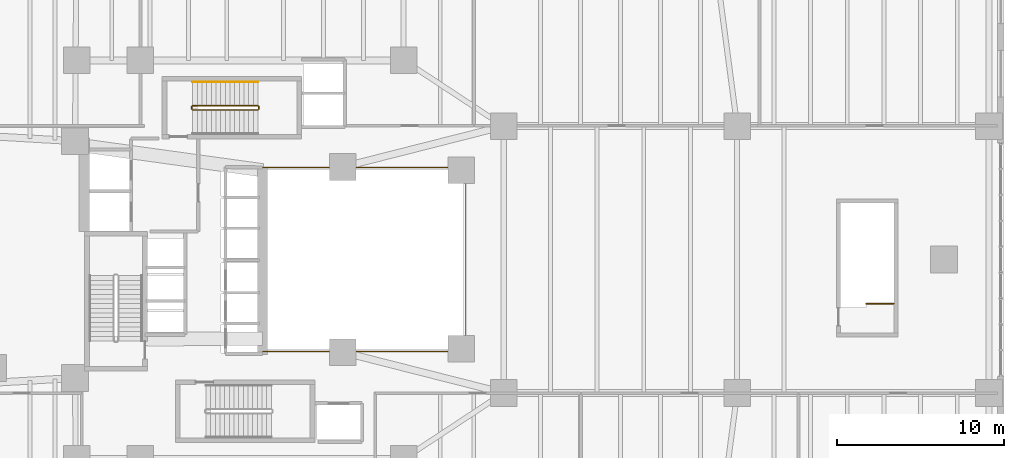
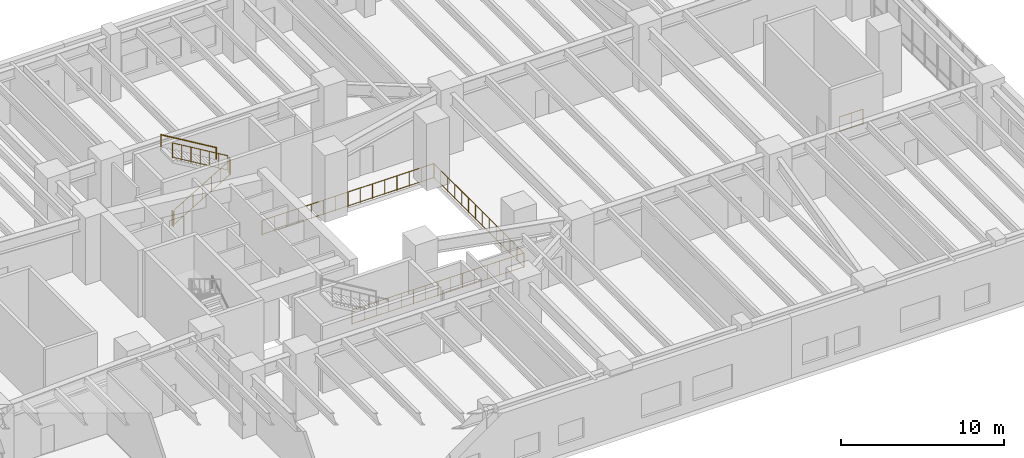
# One storey, part 18 of 18: 7 railings.
"""IFC4 building model written with IfcOpenShell, lengths in metres."""

from ifc_helpers import new_model, si_unit, direction, frame, origin, origin_2d, place, context, subcontext, project, spatial, circle, extrude, material, type_object, element, save


model = new_model("IFC4")

# Units and contexts
model_context = context("Model", 3, precision=1e-05, world=origin(), true_north=direction((0.0, 1.0)))
body_context = subcontext(model_context, "Body", "Model", "MODEL_VIEW")
ifc_project = project(units=[si_unit("LENGTHUNIT", "METRE"), si_unit("AREAUNIT", "SQUARE_METRE"), si_unit("VOLUMEUNIT", "CUBIC_METRE"), si_unit("PLANEANGLEUNIT", "RADIAN"), si_unit("MASSUNIT", "GRAM", prefix="KILO"), si_unit("THERMODYNAMICTEMPERATUREUNIT", "KELVIN"), si_unit("POWERUNIT", "WATT")], contexts=[model_context])

# Site, building, storey
site_placement = place(None, origin())
site = spatial("IfcSite", under=ifc_project, at=site_placement, CompositionType="ELEMENT")
building_placement = place(site_placement, origin())
building = spatial("IfcBuilding", under=site, at=building_placement, Name="Skarre Station Tower", CompositionType="ELEMENT")
storey_placement = place(building_placement, frame((0.0, 0.0, 16.0)))
storey = spatial("IfcBuildingStorey", under=building, at=storey_placement, Name="L04", CompositionType="ELEMENT", Elevation=16.0)

# Railings
ifc_material_1 = material(Name="Bronze Anodized Steel & Laminated Glass Balustrade", Category="steel")
railing_type_1 = type_object("IfcRailingType", Name="Atrium Void & Mezzanine Guard Balustrade 1120", PredefinedType="GUARDRAIL", material=ifc_material_1)
railing_1_placement = place(storey_placement, frame((27.550048828125, 18.47998046875, 0.0)))
element("IfcRailing", 1, at=railing_1_placement, inside=storey, type_object=railing_type_1, Name="L04 Atrium Void Guard Balustrade", PredefinedType="GUARDRAIL", context=body_context, shape_type="SweptSolid", body=[
    extrude(circle(Radius=0.02392578125, at=origin_2d()), frame((0.0, 0.0, 1.09619140625), z_axis=(1.0, 0.0, 0.0), x_axis=(0.0, 1.0, 0.0)), (0.0, 0.0, 1.0), 12.169921875),
    extrude(circle(Radius=0.02099609375, at=origin_2d()), frame((0.0, 0.0, 0.06005859375), z_axis=(1.0, 0.0, 0.0), x_axis=(0.0, 1.0, 0.0)), (0.0, 0.0, 1.0), 12.169921875),
    extrude(circle(Radius=0.02392578125, at=origin_2d()), frame((12.169921875, 0.0, 1.09619140625), z_axis=(0.0, 1.0, 0.0), x_axis=(-1.0, 0.0, 0.0)), (0.0, 0.0, 1.0), 11.0400390625),
    extrude(circle(Radius=0.02099609375, at=origin_2d()), frame((12.169921875, 0.0, 0.06005859375), z_axis=(0.0, 1.0, 0.0), x_axis=(-1.0, 0.0, 0.0)), (0.0, 0.0, 1.0), 11.0400390625),
    extrude(circle(Radius=0.02392578125, at=origin_2d()), frame((12.169921875, 11.0400390625, 1.09619140625), z_axis=(-1.0, 0.0, 0.0), x_axis=(0.0, -1.0, 0.0)), (0.0, 0.0, 1.0), 12.169921875),
    extrude(circle(Radius=0.02099609375, at=origin_2d()), frame((12.169921875, 11.0400390625, 0.06005859375), z_axis=(-1.0, 0.0, 0.0), x_axis=(0.0, -1.0, 0.0)), (0.0, 0.0, 1.0), 12.169921875),
    extrude(circle(Radius=0.02099609375, at=origin_2d()), origin(), (0.0, 0.0, 1.0), 1.072021484375),
    extrude(circle(Radius=0.02099609375, at=origin_2d()), frame((0.869384765625, 0.0, 0.0)), (0.0, 0.0, 1.0), 1.072021484375),
    extrude(circle(Radius=0.02099609375, at=origin_2d()), frame((1.738525390625, 0.0, 0.0)), (0.0, 0.0, 1.0), 1.072021484375),
    extrude(circle(Radius=0.02099609375, at=origin_2d()), frame((2.60791015625, 0.0, 0.0)), (0.0, 0.0, 1.0), 1.072021484375),
    extrude(circle(Radius=0.02099609375, at=origin_2d()), frame((3.47705078125, 0.0, 0.0)), (0.0, 0.0, 1.0), 1.072021484375),
    extrude(circle(Radius=0.02099609375, at=origin_2d()), frame((4.346435546875, 0.0, 0.0)), (0.0, 0.0, 1.0), 1.072021484375),
    extrude(circle(Radius=0.02099609375, at=origin_2d()), frame((5.215576171875, 0.0, 0.0)), (0.0, 0.0, 1.0), 1.072021484375),
    extrude(circle(Radius=0.02099609375, at=origin_2d()), frame((6.0849609375, 0.0, 0.0)), (0.0, 0.0, 1.0), 1.072021484375),
    extrude(circle(Radius=0.02099609375, at=origin_2d()), frame((6.954345703125, 0.0, 0.0)), (0.0, 0.0, 1.0), 1.072021484375),
    extrude(circle(Radius=0.02099609375, at=origin_2d()), frame((7.823486328125, 0.0, 0.0)), (0.0, 0.0, 1.0), 1.072021484375),
    extrude(circle(Radius=0.02099609375, at=origin_2d()), frame((8.69287109375, 0.0, 0.0)), (0.0, 0.0, 1.0), 1.072021484375),
    extrude(circle(Radius=0.02099609375, at=origin_2d()), frame((9.56201171875, 0.0, 0.0)), (0.0, 0.0, 1.0), 1.072021484375),
    extrude(circle(Radius=0.02099609375, at=origin_2d()), frame((10.431396484375, 0.0, 0.0)), (0.0, 0.0, 1.0), 1.072021484375),
    extrude(circle(Radius=0.02099609375, at=origin_2d()), frame((11.300537109375, 0.0, 0.0)), (0.0, 0.0, 1.0), 1.072021484375),
    extrude(circle(Radius=0.02099609375, at=origin_2d()), frame((12.169921875, 0.0, 0.0)), (0.0, 0.0, 1.0), 1.072021484375),
    extrude(circle(Radius=0.02099609375, at=origin_2d()), frame((12.169921875, 0.84912109375, 0.0)), (0.0, 0.0, 1.0), 1.072021484375),
    extrude(circle(Radius=0.02099609375, at=origin_2d()), frame((12.169921875, 1.698486328125, 0.0)), (0.0, 0.0, 1.0), 1.072021484375),
    extrude(circle(Radius=0.02099609375, at=origin_2d()), frame((12.169921875, 2.547607421875, 0.0)), (0.0, 0.0, 1.0), 1.072021484375),
    extrude(circle(Radius=0.02099609375, at=origin_2d()), frame((12.169921875, 3.39697265625, 0.0)), (0.0, 0.0, 1.0), 1.072021484375),
    extrude(circle(Radius=0.02099609375, at=origin_2d()), frame((12.169921875, 4.24609375, 0.0)), (0.0, 0.0, 1.0), 1.072021484375),
    extrude(circle(Radius=0.02099609375, at=origin_2d()), frame((12.169921875, 5.095458984375, 0.0)), (0.0, 0.0, 1.0), 1.072021484375),
    extrude(circle(Radius=0.02099609375, at=origin_2d()), frame((12.169921875, 5.944580078125, 0.0)), (0.0, 0.0, 1.0), 1.072021484375),
    extrude(circle(Radius=0.02099609375, at=origin_2d()), frame((12.169921875, 6.7939453125, 0.0)), (0.0, 0.0, 1.0), 1.072021484375),
    extrude(circle(Radius=0.02099609375, at=origin_2d()), frame((12.169921875, 7.64306640625, 0.0)), (0.0, 0.0, 1.0), 1.072021484375),
    extrude(circle(Radius=0.02099609375, at=origin_2d()), frame((12.169921875, 8.492431640625, 0.0)), (0.0, 0.0, 1.0), 1.072021484375),
    extrude(circle(Radius=0.02099609375, at=origin_2d()), frame((12.169921875, 9.341552734375, 0.0)), (0.0, 0.0, 1.0), 1.072021484375),
    extrude(circle(Radius=0.02099609375, at=origin_2d()), frame((12.169921875, 10.19091796875, 0.0)), (0.0, 0.0, 1.0), 1.072021484375),
    extrude(circle(Radius=0.02099609375, at=origin_2d()), frame((12.169921875, 11.0400390625, 0.0)), (0.0, 0.0, 1.0), 1.072021484375),
    extrude(circle(Radius=0.02099609375, at=origin_2d()), frame((11.300537109375, 11.0400390625, 0.0)), (0.0, 0.0, 1.0), 1.072021484375),
    extrude(circle(Radius=0.02099609375, at=origin_2d()), frame((10.431396484375, 11.0400390625, 0.0)), (0.0, 0.0, 1.0), 1.072021484375),
    extrude(circle(Radius=0.02099609375, at=origin_2d()), frame((9.56201171875, 11.0400390625, 0.0)), (0.0, 0.0, 1.0), 1.072021484375),
    extrude(circle(Radius=0.02099609375, at=origin_2d()), frame((8.69287109375, 11.0400390625, 0.0)), (0.0, 0.0, 1.0), 1.072021484375),
    extrude(circle(Radius=0.02099609375, at=origin_2d()), frame((7.823486328125, 11.0400390625, 0.0)), (0.0, 0.0, 1.0), 1.072021484375),
    extrude(circle(Radius=0.02099609375, at=origin_2d()), frame((6.954345703125, 11.0400390625, 0.0)), (0.0, 0.0, 1.0), 1.072021484375),
    extrude(circle(Radius=0.02099609375, at=origin_2d()), frame((6.0849609375, 11.0400390625, 0.0)), (0.0, 0.0, 1.0), 1.072021484375),
    extrude(circle(Radius=0.02099609375, at=origin_2d()), frame((5.215576171875, 11.0400390625, 0.0)), (0.0, 0.0, 1.0), 1.072021484375),
    extrude(circle(Radius=0.02099609375, at=origin_2d()), frame((4.346435546875, 11.0400390625, 0.0)), (0.0, 0.0, 1.0), 1.072021484375),
    extrude(circle(Radius=0.02099609375, at=origin_2d()), frame((3.47705078125, 11.0400390625, 0.0)), (0.0, 0.0, 1.0), 1.072021484375),
    extrude(circle(Radius=0.02099609375, at=origin_2d()), frame((2.60791015625, 11.0400390625, 0.0)), (0.0, 0.0, 1.0), 1.072021484375),
    extrude(circle(Radius=0.02099609375, at=origin_2d()), frame((1.738525390625, 11.0400390625, 0.0)), (0.0, 0.0, 1.0), 1.072021484375),
    extrude(circle(Radius=0.02099609375, at=origin_2d()), frame((0.869384765625, 11.0400390625, 0.0)), (0.0, 0.0, 1.0), 1.072021484375),
    extrude(circle(Radius=0.02099609375, at=origin_2d()), frame((0.0, 11.0400390625, 0.0)), (0.0, 0.0, 1.0), 1.072021484375),
])
ifc_material_2 = material(Name="Powder-Coated Tubular Steel", Category="steel")
railing_type_2 = type_object("IfcRailingType", Name="Painted Steel Ramp & Stair Handrail 920", PredefinedType="HANDRAIL", material=ifc_material_2)
railing_2_placement = place(storey_placement, frame((27.27001953125, 34.64990234375, 2.666748046875)))
element("IfcRailing", 2, at=railing_2_placement, inside=storey, type_object=railing_type_2, Name="L04 ST-3 stair handrail 2", PredefinedType="HANDRAIL", context=body_context, shape_type="SweptSolid", body=[
    extrude(circle(Radius=0.02392578125, at=origin_2d()), frame((0.0, 0.0, 0.8759765625), z_axis=(-0.859296244711, 0.0, 0.511478214419), x_axis=(0.0, -1.0, 0.0)), (0.0, 0.0, 1.0), 4.561767578125),
    extrude(circle(Radius=0.02099609375, at=origin_2d()), origin(), (0.0, 0.0, 1.0), 0.851806640625),
    extrude(circle(Radius=0.02099609375, at=origin_2d()), frame((-3.919921875, 0.0, 2.333251953125)), (0.0, 0.0, 1.0), 0.851806640625),
])
railing_type_3 = type_object("IfcRailingType", Name="Painted Steel Stairwell Guardrail 1100", PredefinedType="GUARDRAIL", material=ifc_material_2)
railing_3_placement = place(storey_placement, frame((23.35009765625, 32.969970703125, 0.166748046875)))
element("IfcRailing", 3, at=railing_3_placement, inside=storey, type_object=railing_type_3, Name="L04 ST-3 stair guard 1", PredefinedType="GUARDRAIL", context=body_context, shape_type="SweptSolid", body=[
    extrude(circle(Radius=0.02392578125, at=origin_2d()), frame((0.0, 0.0, 1.1259765625), z_axis=(0.859296244711, 0.0, 0.511478214419), x_axis=(0.0, 1.0, 0.0)), (0.0, 0.0, 1.0), 4.561767578125),
    extrude(circle(Radius=0.02099609375, at=origin_2d()), frame((0.0, 0.0, 0.06005859375), z_axis=(0.859296244711, 0.0, 0.511478214419), x_axis=(0.0, 1.0, 0.0)), (0.0, 0.0, 1.0), 4.561767578125),
    extrude(circle(Radius=0.02099609375, at=origin_2d()), origin(), (0.0, 0.0, 1.0), 1.101806640625),
    extrude(circle(Radius=0.02099609375, at=origin_2d()), frame((0.6533203125, 0.0, 0.388916015625)), (0.0, 0.0, 1.0), 1.101806640625),
    extrude(circle(Radius=0.02099609375, at=origin_2d()), frame((1.306640625, 0.0, 0.77783203125)), (0.0, 0.0, 1.0), 1.101806640625),
    extrude(circle(Radius=0.02099609375, at=origin_2d()), frame((1.9599609375, 0.0, 1.16650390625)), (0.0, 0.0, 1.0), 1.101806640625),
    extrude(circle(Radius=0.02099609375, at=origin_2d()), frame((2.61328125, 0.0, 1.555419921875)), (0.0, 0.0, 1.0), 1.101806640625),
    extrude(circle(Radius=0.02099609375, at=origin_2d()), frame((3.2666015625, 0.0, 1.9443359375)), (0.0, 0.0, 1.0), 1.101806640625),
    extrude(circle(Radius=0.02099609375, at=origin_2d()), frame((3.919921875, 0.0, 2.333251953125)), (0.0, 0.0, 1.0), 1.101806640625),
])
railing_4_placement = place(storey_placement, frame((27.320068359375, 33.02001953125, 2.5)))
element("IfcRailing", 4, at=railing_4_placement, inside=storey, type_object=railing_type_3, Name="L04 ST-3 stair guard 2", PredefinedType="GUARDRAIL", context=body_context, shape_type="SweptSolid", body=[
    extrude(circle(Radius=0.02392578125, at=origin_2d()), frame((0.0, 0.0, 1.1259765625), z_axis=(0.0, 1.0, 0.0), x_axis=(-1.0, 0.0, 0.0)), (0.0, 0.0, 1.0), 0.159912109375),
    extrude(circle(Radius=0.02099609375, at=origin_2d()), frame((0.0, 0.0, 0.06005859375), z_axis=(0.0, 1.0, 0.0), x_axis=(-1.0, 0.0, 0.0)), (0.0, 0.0, 1.0), 0.159912109375),
    extrude(circle(Radius=0.02099609375, at=origin_2d()), origin(), (0.0, 0.0, 1.0), 1.101806640625),
    extrude(circle(Radius=0.02099609375, at=origin_2d()), frame((0.0, 0.159912109375, 0.0)), (0.0, 0.0, 1.0), 1.101806640625),
])
railing_5_placement = place(storey_placement, frame((27.27001953125, 33.22998046875, 2.666748046875)))
element("IfcRailing", 5, at=railing_5_placement, inside=storey, type_object=railing_type_3, Name="L04 ST-3 stair guard 3", PredefinedType="GUARDRAIL", context=body_context, shape_type="SweptSolid", body=[
    extrude(circle(Radius=0.02392578125, at=origin_2d()), frame((0.0, 0.0, 1.1259765625), z_axis=(-0.859296244711, 0.0, 0.511478214419), x_axis=(0.0, -1.0, 0.0)), (0.0, 0.0, 1.0), 4.561767578125),
    extrude(circle(Radius=0.02099609375, at=origin_2d()), frame((0.0, 0.0, 0.06005859375), z_axis=(-0.859296244711, 0.0, 0.511478214419), x_axis=(0.0, -1.0, 0.0)), (0.0, 0.0, 1.0), 4.561767578125),
    extrude(circle(Radius=0.02099609375, at=origin_2d()), origin(), (0.0, 0.0, 1.0), 1.101806640625),
    extrude(circle(Radius=0.02099609375, at=origin_2d()), frame((-0.6533203125, 0.0, 0.388916015625)), (0.0, 0.0, 1.0), 1.101806640625),
    extrude(circle(Radius=0.02099609375, at=origin_2d()), frame((-1.306640625, 0.0, 0.77783203125)), (0.0, 0.0, 1.0), 1.101806640625),
    extrude(circle(Radius=0.02099609375, at=origin_2d()), frame((-1.9599609375, 0.0, 1.16650390625)), (0.0, 0.0, 1.0), 1.101806640625),
    extrude(circle(Radius=0.02099609375, at=origin_2d()), frame((-2.61328125, 0.0, 1.555419921875)), (0.0, 0.0, 1.0), 1.101806640625),
    extrude(circle(Radius=0.02099609375, at=origin_2d()), frame((-3.2666015625, 0.0, 1.9443359375)), (0.0, 0.0, 1.0), 1.101806640625),
    extrude(circle(Radius=0.02099609375, at=origin_2d()), frame((-3.919921875, 0.0, 2.333251953125)), (0.0, 0.0, 1.0), 1.101806640625),
])
railing_6_placement = place(storey_placement, frame((23.300048828125, 33.02001953125, 0.0)))
element("IfcRailing", 6, at=railing_6_placement, inside=storey, type_object=railing_type_3, Name="L04 ST-3 stair guard 4", PredefinedType="GUARDRAIL", context=body_context, shape_type="SweptSolid", body=[
    extrude(circle(Radius=0.02392578125, at=origin_2d()), frame((0.0, 0.0, 1.1259765625), z_axis=(0.0, 1.0, 0.0), x_axis=(-1.0, 0.0, 0.0)), (0.0, 0.0, 1.0), 0.159912109375),
    extrude(circle(Radius=0.02099609375, at=origin_2d()), frame((0.0, 0.0, 0.06005859375), z_axis=(0.0, 1.0, 0.0), x_axis=(-1.0, 0.0, 0.0)), (0.0, 0.0, 1.0), 0.159912109375),
    extrude(circle(Radius=0.02099609375, at=origin_2d()), origin(), (0.0, 0.0, 1.0), 1.101806640625),
    extrude(circle(Radius=0.02099609375, at=origin_2d()), frame((0.0, 0.159912109375, 0.0)), (0.0, 0.0, 1.0), 1.101806640625),
])
railing_7_placement = place(storey_placement, frame((65.39990234375, 21.360107421875, 0.0)))
element("IfcRailing", 7, at=railing_7_placement, inside=storey, type_object=railing_type_3, Name="L04 ST-5 top well guard 1", PredefinedType="GUARDRAIL", context=body_context, shape_type="SweptSolid", body=[
    extrude(circle(Radius=0.02392578125, at=origin_2d()), frame((0.0, 0.0, 1.1259765625), z_axis=(-1.0, 0.0, 0.0), x_axis=(0.0, -1.0, 0.0)), (0.0, 0.0, 1.0), 1.679931640625),
    extrude(circle(Radius=0.02099609375, at=origin_2d()), frame((0.0, 0.0, 0.06005859375), z_axis=(-1.0, 0.0, 0.0), x_axis=(0.0, -1.0, 0.0)), (0.0, 0.0, 1.0), 1.679931640625),
    extrude(circle(Radius=0.02099609375, at=origin_2d()), origin(), (0.0, 0.0, 1.0), 1.101806640625),
    extrude(circle(Radius=0.02099609375, at=origin_2d()), frame((-0.83984375, 0.0, 0.0)), (0.0, 0.0, 1.0), 1.101806640625),
    extrude(circle(Radius=0.02099609375, at=origin_2d()), frame((-1.679931640625, 0.0, 0.0)), (0.0, 0.0, 1.0), 1.101806640625),
])

save(model, "model.ifc")
